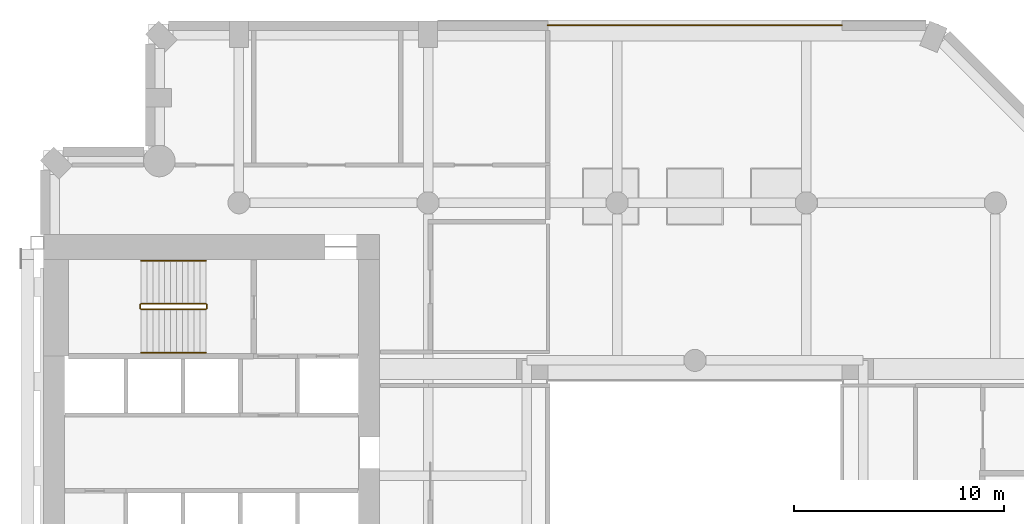
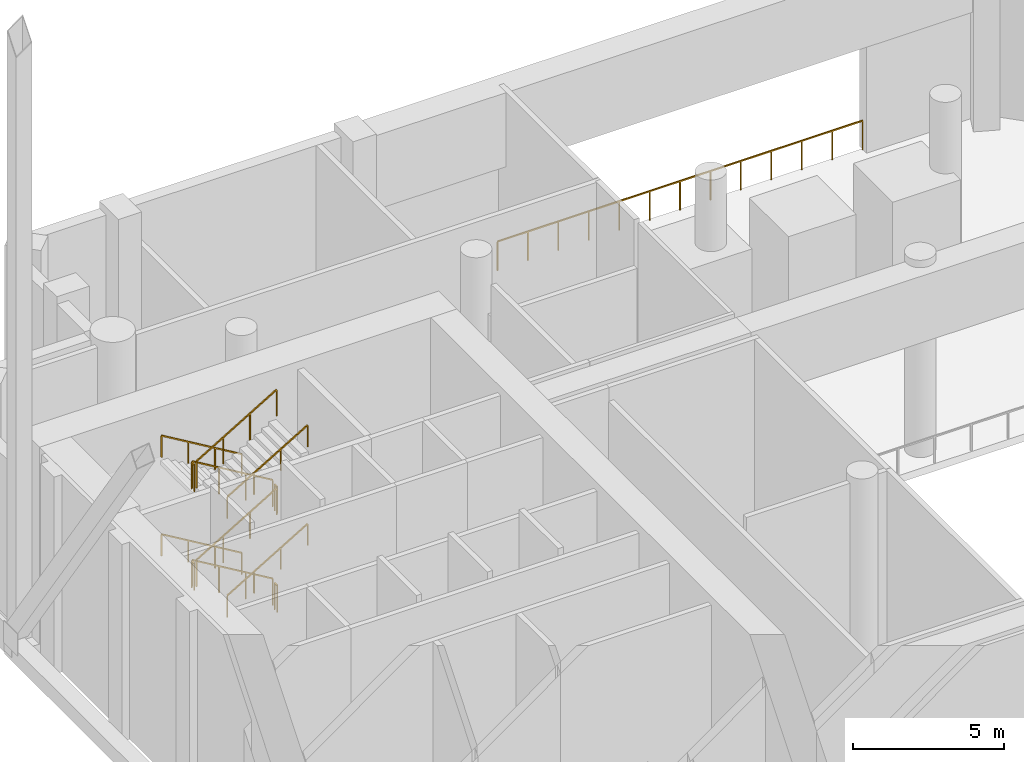
# One storey, part 13 of 14: 13 railings.
"""IFC4 building model written with IfcOpenShell, lengths in metres."""

from ifc_helpers import new_model, si_unit, direction, frame, origin, origin_2d, place, context, subcontext, project, spatial, rectangle, extrude, material, type_object, element, save


model = new_model("IFC4")

# Units and contexts
model_context = context("Model", 3, precision=1e-05, world=origin(), true_north=direction((0.0, 1.0)))
body_context = subcontext(model_context, "Body", "Model", "MODEL_VIEW")
ifc_project = project(units=[si_unit("LENGTHUNIT", "METRE"), si_unit("AREAUNIT", "SQUARE_METRE"), si_unit("VOLUMEUNIT", "CUBIC_METRE"), si_unit("PLANEANGLEUNIT", "RADIAN"), si_unit("MASSUNIT", "GRAM", prefix="KILO")], contexts=[model_context])

# Site, building, storey
site_placement = place(None, origin())
site = spatial("IfcSite", under=ifc_project, at=site_placement, CompositionType="ELEMENT")
building_placement = place(site_placement, origin())
building = spatial("IfcBuilding", under=site, at=building_placement, Name="Cypress Arch Tower", CompositionType="ELEMENT")
storey_placement = place(building_placement, frame((0.0, 0.0, 152.5)))
storey = spatial("IfcBuildingStorey", under=building, at=storey_placement, Name="L33", CompositionType="ELEMENT", Elevation=152.5)

# Railings
ifc_material_1 = material(Name="Powder-coated steel posts and rods, 100 mm clear between rods", Category="steel")
railing_type_1 = type_object("IfcRailingType", Name="Slot guard GR1200", PredefinedType="GUARDRAIL", material=ifc_material_1)
railing_1_placement = place(storey_placement, frame((-6.0, 25.949951171875, 0.0)))
element("IfcRailing", 1, at=railing_1_placement, inside=storey, type_object=railing_type_1, Name="Slot guard L33 N", PredefinedType="GUARDRAIL", context=body_context, shape_type="SweptSolid", body=[
    extrude(rectangle(XDim=0.050048828125, YDim=0.050048828125, at=origin_2d()), frame((0.0, 0.0, 1.1748046875), z_axis=(1.0, 0.0, 0.0), x_axis=(0.0, 1.0, 0.0)), (0.0, 0.0, 1.0), 14.0),
    extrude(rectangle(XDim=0.0400390625, YDim=0.0400390625, at=origin_2d()), origin(), (0.0, 0.0, 1.0), 1.14990234375),
    extrude(rectangle(XDim=0.0400390625, YDim=0.0400390625, at=origin_2d()), frame((1.166748046875, 0.0, 0.0)), (0.0, 0.0, 1.0), 1.14990234375),
    extrude(rectangle(XDim=0.0400390625, YDim=0.0400390625, at=origin_2d()), frame((2.333251953125, 0.0, 0.0)), (0.0, 0.0, 1.0), 1.14990234375),
    extrude(rectangle(XDim=0.0400390625, YDim=0.0400390625, at=origin_2d()), frame((3.5, 0.0, 0.0)), (0.0, 0.0, 1.0), 1.14990234375),
    extrude(rectangle(XDim=0.0400390625, YDim=0.0400390625, at=origin_2d()), frame((4.666748046875, 0.0, 0.0)), (0.0, 0.0, 1.0), 1.14990234375),
    extrude(rectangle(XDim=0.0400390625, YDim=0.0400390625, at=origin_2d()), frame((5.833251953125, 0.0, 0.0)), (0.0, 0.0, 1.0), 1.14990234375),
    extrude(rectangle(XDim=0.0400390625, YDim=0.0400390625, at=origin_2d()), frame((7.0, 0.0, 0.0)), (0.0, 0.0, 1.0), 1.14990234375),
    extrude(rectangle(XDim=0.0400390625, YDim=0.0400390625, at=origin_2d()), frame((8.166748046875, 0.0, 0.0)), (0.0, 0.0, 1.0), 1.14990234375),
    extrude(rectangle(XDim=0.0400390625, YDim=0.0400390625, at=origin_2d()), frame((9.333251953125, 0.0, 0.0)), (0.0, 0.0, 1.0), 1.14990234375),
    extrude(rectangle(XDim=0.0400390625, YDim=0.0400390625, at=origin_2d()), frame((10.5, 0.0, 0.0)), (0.0, 0.0, 1.0), 1.14990234375),
    extrude(rectangle(XDim=0.0400390625, YDim=0.0400390625, at=origin_2d()), frame((11.666748046875, 0.0, 0.0)), (0.0, 0.0, 1.0), 1.14990234375),
    extrude(rectangle(XDim=0.0400390625, YDim=0.0400390625, at=origin_2d()), frame((12.833251953125, 0.0, 0.0)), (0.0, 0.0, 1.0), 1.14990234375),
    extrude(rectangle(XDim=0.0400390625, YDim=0.0400390625, at=origin_2d()), frame((14.0, 0.0, 0.0)), (0.0, 0.0, 1.0), 1.14990234375),
])
ifc_material_2 = material(Name="Black powder-coated steel square bar 48 mm", Category="steel")
railing_type_2 = type_object("IfcRailingType", Name="Stair handrail HR1", PredefinedType="HANDRAIL", material=ifc_material_2)
railing_2_placement = place(storey_placement, frame((-22.27490234375, 14.75, 0.166748046875)))
element("IfcRailing", 2, at=railing_2_placement, inside=storey, type_object=railing_type_2, Name="L33 B stair handrail 1", PredefinedType="HANDRAIL", context=body_context, shape_type="SweptSolid", body=[
    extrude(rectangle(XDim=0.048095703125, YDim=0.048095703125, at=origin_2d()), frame((0.0, 0.0, 0.8759765625), z_axis=(-0.859308565015, 0.0, 0.511457515432), x_axis=(0.0, -1.0, 0.0)), (0.0, 0.0, 1.0), 3.58447265625),
    extrude(rectangle(XDim=0.0419921875, YDim=0.0419921875, at=origin_2d()), origin(), (0.0, 0.0, 1.0), 0.851806640625),
    extrude(rectangle(XDim=0.0419921875, YDim=0.0419921875, at=origin_2d()), frame((-1.026611328125, 0.0, 0.611083984375)), (0.0, 0.0, 1.0), 0.851806640625),
    extrude(rectangle(XDim=0.0419921875, YDim=0.0419921875, at=origin_2d()), frame((-2.053466796875, 0.0, 1.22216796875)), (0.0, 0.0, 1.0), 0.851806640625),
    extrude(rectangle(XDim=0.0419921875, YDim=0.0419921875, at=origin_2d()), frame((-3.080078125, 0.0, 1.833251953125)), (0.0, 0.0, 1.0), 0.851806640625),
])
railing_3_placement = place(storey_placement, frame((-25.35498046875, 10.375, 2.166748046875)))
element("IfcRailing", 3, at=railing_3_placement, inside=storey, type_object=railing_type_2, Name="L33 B stair handrail 2", PredefinedType="HANDRAIL", context=body_context, shape_type="SweptSolid", body=[
    extrude(rectangle(XDim=0.048095703125, YDim=0.048095703125, at=origin_2d()), frame((0.0, 0.0, 0.8759765625), z_axis=(0.859308565015, 0.0, 0.511457515432), x_axis=(0.0, 1.0, 0.0)), (0.0, 0.0, 1.0), 3.58447265625),
    extrude(rectangle(XDim=0.0419921875, YDim=0.0419921875, at=origin_2d()), origin(), (0.0, 0.0, 1.0), 0.851806640625),
    extrude(rectangle(XDim=0.0419921875, YDim=0.0419921875, at=origin_2d()), frame((1.026611328125, 0.0, 0.611083984375)), (0.0, 0.0, 1.0), 0.851806640625),
    extrude(rectangle(XDim=0.0419921875, YDim=0.0419921875, at=origin_2d()), frame((2.053466796875, 0.0, 1.22216796875)), (0.0, 0.0, 1.0), 0.851806640625),
    extrude(rectangle(XDim=0.0419921875, YDim=0.0419921875, at=origin_2d()), frame((3.080078125, 0.0, 1.833251953125)), (0.0, 0.0, 1.0), 0.851806640625),
])
railing_4_placement = place(storey_placement, frame((-22.27490234375, 14.75, 4.166748046875)))
element("IfcRailing", 4, at=railing_4_placement, inside=storey, type_object=railing_type_2, Name="L33 B stair handrail 3", PredefinedType="HANDRAIL", context=body_context, shape_type="SweptSolid", body=[
    extrude(rectangle(XDim=0.048095703125, YDim=0.048095703125, at=origin_2d()), frame((0.0, 0.0, 0.8759765625), z_axis=(-0.859308565015, 0.0, 0.511457515432), x_axis=(0.0, -1.0, 0.0)), (0.0, 0.0, 1.0), 3.58447265625),
    extrude(rectangle(XDim=0.0419921875, YDim=0.0419921875, at=origin_2d()), origin(), (0.0, 0.0, 1.0), 0.851806640625),
    extrude(rectangle(XDim=0.0419921875, YDim=0.0419921875, at=origin_2d()), frame((-1.026611328125, 0.0, 0.611083984375)), (0.0, 0.0, 1.0), 0.851806640625),
    extrude(rectangle(XDim=0.0419921875, YDim=0.0419921875, at=origin_2d()), frame((-2.053466796875, 0.0, 1.22216796875)), (0.0, 0.0, 1.0), 0.851806640625),
    extrude(rectangle(XDim=0.0419921875, YDim=0.0419921875, at=origin_2d()), frame((-3.080078125, 0.0, 1.833251953125)), (0.0, 0.0, 1.0), 0.851806640625),
])
railing_5_placement = place(storey_placement, frame((-25.35498046875, 10.375, 6.166748046875)))
element("IfcRailing", 5, at=railing_5_placement, inside=storey, type_object=railing_type_2, Name="L33 B stair handrail 4", PredefinedType="HANDRAIL", context=body_context, shape_type="SweptSolid", body=[
    extrude(rectangle(XDim=0.048095703125, YDim=0.048095703125, at=origin_2d()), frame((0.0, 0.0, 0.8759765625), z_axis=(0.859308565015, 0.0, 0.511457515432), x_axis=(0.0, 1.0, 0.0)), (0.0, 0.0, 1.0), 3.58447265625),
    extrude(rectangle(XDim=0.0419921875, YDim=0.0419921875, at=origin_2d()), origin(), (0.0, 0.0, 1.0), 0.851806640625),
    extrude(rectangle(XDim=0.0419921875, YDim=0.0419921875, at=origin_2d()), frame((1.026611328125, 0.0, 0.611083984375)), (0.0, 0.0, 1.0), 0.851806640625),
    extrude(rectangle(XDim=0.0419921875, YDim=0.0419921875, at=origin_2d()), frame((2.053466796875, 0.0, 1.22216796875)), (0.0, 0.0, 1.0), 0.851806640625),
    extrude(rectangle(XDim=0.0419921875, YDim=0.0419921875, at=origin_2d()), frame((3.080078125, 0.0, 1.833251953125)), (0.0, 0.0, 1.0), 0.851806640625),
])
ifc_material_3 = material(Name="Black powder-coated steel balusters", Category="steel")
railing_type_3 = type_object("IfcRailingType", Name="Stair well guard G1", PredefinedType="GUARDRAIL", material=ifc_material_3)
railing_6_placement = place(storey_placement, frame((-22.27490234375, 12.699951171875, 0.166748046875)))
element("IfcRailing", 6, at=railing_6_placement, inside=storey, type_object=railing_type_3, Name="L33 B stair guard 1", PredefinedType="GUARDRAIL", context=body_context, shape_type="SweptSolid", body=[
    extrude(rectangle(XDim=0.048095703125, YDim=0.048095703125, at=origin_2d()), frame((0.0, 0.0, 1.076171875), z_axis=(-0.859308565015, 0.0, 0.511457515432), x_axis=(0.0, -1.0, 0.0)), (0.0, 0.0, 1.0), 3.58447265625),
    extrude(rectangle(XDim=0.0419921875, YDim=0.0419921875, at=origin_2d()), origin(), (0.0, 0.0, 1.0), 1.052001953125),
    extrude(rectangle(XDim=0.0419921875, YDim=0.0419921875, at=origin_2d()), frame((-1.026611328125, 0.0, 0.611083984375)), (0.0, 0.0, 1.0), 1.052001953125),
    extrude(rectangle(XDim=0.0419921875, YDim=0.0419921875, at=origin_2d()), frame((-2.053466796875, 0.0, 1.22216796875)), (0.0, 0.0, 1.0), 1.052001953125),
    extrude(rectangle(XDim=0.0419921875, YDim=0.0419921875, at=origin_2d()), frame((-3.080078125, 0.0, 1.833251953125)), (0.0, 0.0, 1.0), 1.052001953125),
])
railing_7_placement = place(storey_placement, frame((-25.405029296875, 12.64990234375, 2.0)))
element("IfcRailing", 7, at=railing_7_placement, inside=storey, type_object=railing_type_3, Name="L33 B stair guard 2", PredefinedType="GUARDRAIL", context=body_context, shape_type="SweptSolid", body=[
    extrude(rectangle(XDim=0.048095703125, YDim=0.048095703125, at=origin_2d()), frame((0.0, 0.0, 1.076171875), z_axis=(0.0, -1.0, 0.0), x_axis=(1.0, 0.0, 0.0)), (0.0, 0.0, 1.0), 0.1748046875),
    extrude(rectangle(XDim=0.0419921875, YDim=0.0419921875, at=origin_2d()), origin(), (0.0, 0.0, 1.0), 1.052001953125),
    extrude(rectangle(XDim=0.0419921875, YDim=0.0419921875, at=origin_2d()), frame((0.0, -0.1748046875, 0.0)), (0.0, 0.0, 1.0), 1.052001953125),
])
railing_8_placement = place(storey_placement, frame((-25.35498046875, 12.425048828125, 2.166748046875)))
element("IfcRailing", 8, at=railing_8_placement, inside=storey, type_object=railing_type_3, Name="L33 B stair guard 3", PredefinedType="GUARDRAIL", context=body_context, shape_type="SweptSolid", body=[
    extrude(rectangle(XDim=0.048095703125, YDim=0.048095703125, at=origin_2d()), frame((0.0, 0.0, 1.076171875), z_axis=(0.859308565015, 0.0, 0.511457515432), x_axis=(0.0, 1.0, 0.0)), (0.0, 0.0, 1.0), 3.58447265625),
    extrude(rectangle(XDim=0.0419921875, YDim=0.0419921875, at=origin_2d()), origin(), (0.0, 0.0, 1.0), 1.052001953125),
    extrude(rectangle(XDim=0.0419921875, YDim=0.0419921875, at=origin_2d()), frame((1.026611328125, 0.0, 0.611083984375)), (0.0, 0.0, 1.0), 1.052001953125),
    extrude(rectangle(XDim=0.0419921875, YDim=0.0419921875, at=origin_2d()), frame((2.053466796875, 0.0, 1.22216796875)), (0.0, 0.0, 1.0), 1.052001953125),
    extrude(rectangle(XDim=0.0419921875, YDim=0.0419921875, at=origin_2d()), frame((3.080078125, 0.0, 1.833251953125)), (0.0, 0.0, 1.0), 1.052001953125),
])
railing_9_placement = place(storey_placement, frame((-22.22509765625, 12.64990234375, 4.0)))
element("IfcRailing", 9, at=railing_9_placement, inside=storey, type_object=railing_type_3, Name="L33 B stair guard 4", PredefinedType="GUARDRAIL", context=body_context, shape_type="SweptSolid", body=[
    extrude(rectangle(XDim=0.048095703125, YDim=0.048095703125, at=origin_2d()), frame((0.0, 0.0, 1.076171875), z_axis=(0.0, -1.0, 0.0), x_axis=(1.0, 0.0, 0.0)), (0.0, 0.0, 1.0), 0.1748046875),
    extrude(rectangle(XDim=0.0419921875, YDim=0.0419921875, at=origin_2d()), origin(), (0.0, 0.0, 1.0), 1.052001953125),
    extrude(rectangle(XDim=0.0419921875, YDim=0.0419921875, at=origin_2d()), frame((0.0, -0.1748046875, 0.0)), (0.0, 0.0, 1.0), 1.052001953125),
])
railing_10_placement = place(storey_placement, frame((-22.27490234375, 12.699951171875, 4.166748046875)))
element("IfcRailing", 10, at=railing_10_placement, inside=storey, type_object=railing_type_3, Name="L33 B stair guard 5", PredefinedType="GUARDRAIL", context=body_context, shape_type="SweptSolid", body=[
    extrude(rectangle(XDim=0.048095703125, YDim=0.048095703125, at=origin_2d()), frame((0.0, 0.0, 1.076171875), z_axis=(-0.859308565015, 0.0, 0.511457515432), x_axis=(0.0, -1.0, 0.0)), (0.0, 0.0, 1.0), 3.58447265625),
    extrude(rectangle(XDim=0.0419921875, YDim=0.0419921875, at=origin_2d()), origin(), (0.0, 0.0, 1.0), 1.052001953125),
    extrude(rectangle(XDim=0.0419921875, YDim=0.0419921875, at=origin_2d()), frame((-1.026611328125, 0.0, 0.611083984375)), (0.0, 0.0, 1.0), 1.052001953125),
    extrude(rectangle(XDim=0.0419921875, YDim=0.0419921875, at=origin_2d()), frame((-2.053466796875, 0.0, 1.22216796875)), (0.0, 0.0, 1.0), 1.052001953125),
    extrude(rectangle(XDim=0.0419921875, YDim=0.0419921875, at=origin_2d()), frame((-3.080078125, 0.0, 1.833251953125)), (0.0, 0.0, 1.0), 1.052001953125),
])
railing_11_placement = place(storey_placement, frame((-25.405029296875, 12.64990234375, 6.0)))
element("IfcRailing", 11, at=railing_11_placement, inside=storey, type_object=railing_type_3, Name="L33 B stair guard 6", PredefinedType="GUARDRAIL", context=body_context, shape_type="SweptSolid", body=[
    extrude(rectangle(XDim=0.048095703125, YDim=0.048095703125, at=origin_2d()), frame((0.0, 0.0, 1.076171875), z_axis=(0.0, -1.0, 0.0), x_axis=(1.0, 0.0, 0.0)), (0.0, 0.0, 1.0), 0.1748046875),
    extrude(rectangle(XDim=0.0419921875, YDim=0.0419921875, at=origin_2d()), origin(), (0.0, 0.0, 1.0), 1.052001953125),
    extrude(rectangle(XDim=0.0419921875, YDim=0.0419921875, at=origin_2d()), frame((0.0, -0.1748046875, 0.0)), (0.0, 0.0, 1.0), 1.052001953125),
])
railing_12_placement = place(storey_placement, frame((-25.35498046875, 12.425048828125, 6.166748046875)))
element("IfcRailing", 12, at=railing_12_placement, inside=storey, type_object=railing_type_3, Name="L33 B stair guard 7", PredefinedType="GUARDRAIL", context=body_context, shape_type="SweptSolid", body=[
    extrude(rectangle(XDim=0.048095703125, YDim=0.048095703125, at=origin_2d()), frame((0.0, 0.0, 1.076171875), z_axis=(0.859308565015, 0.0, 0.511457515432), x_axis=(0.0, 1.0, 0.0)), (0.0, 0.0, 1.0), 3.58447265625),
    extrude(rectangle(XDim=0.0419921875, YDim=0.0419921875, at=origin_2d()), origin(), (0.0, 0.0, 1.0), 1.052001953125),
    extrude(rectangle(XDim=0.0419921875, YDim=0.0419921875, at=origin_2d()), frame((1.026611328125, 0.0, 0.611083984375)), (0.0, 0.0, 1.0), 1.052001953125),
    extrude(rectangle(XDim=0.0419921875, YDim=0.0419921875, at=origin_2d()), frame((2.053466796875, 0.0, 1.22216796875)), (0.0, 0.0, 1.0), 1.052001953125),
    extrude(rectangle(XDim=0.0419921875, YDim=0.0419921875, at=origin_2d()), frame((3.080078125, 0.0, 1.833251953125)), (0.0, 0.0, 1.0), 1.052001953125),
])
railing_13_placement = place(storey_placement, frame((-22.22509765625, 12.64990234375, 0.0)))
element("IfcRailing", 13, at=railing_13_placement, inside=storey, type_object=railing_type_3, Name="L33 B stair guard 8", PredefinedType="GUARDRAIL", context=body_context, shape_type="SweptSolid", body=[
    extrude(rectangle(XDim=0.048095703125, YDim=0.048095703125, at=origin_2d()), frame((0.0, 0.0, 1.076171875), z_axis=(0.0, -1.0, 0.0), x_axis=(1.0, 0.0, 0.0)), (0.0, 0.0, 1.0), 0.1748046875),
    extrude(rectangle(XDim=0.0419921875, YDim=0.0419921875, at=origin_2d()), origin(), (0.0, 0.0, 1.0), 1.052001953125),
    extrude(rectangle(XDim=0.0419921875, YDim=0.0419921875, at=origin_2d()), frame((0.0, -0.1748046875, 0.0)), (0.0, 0.0, 1.0), 1.052001953125),
])

save(model, "model.ifc")
